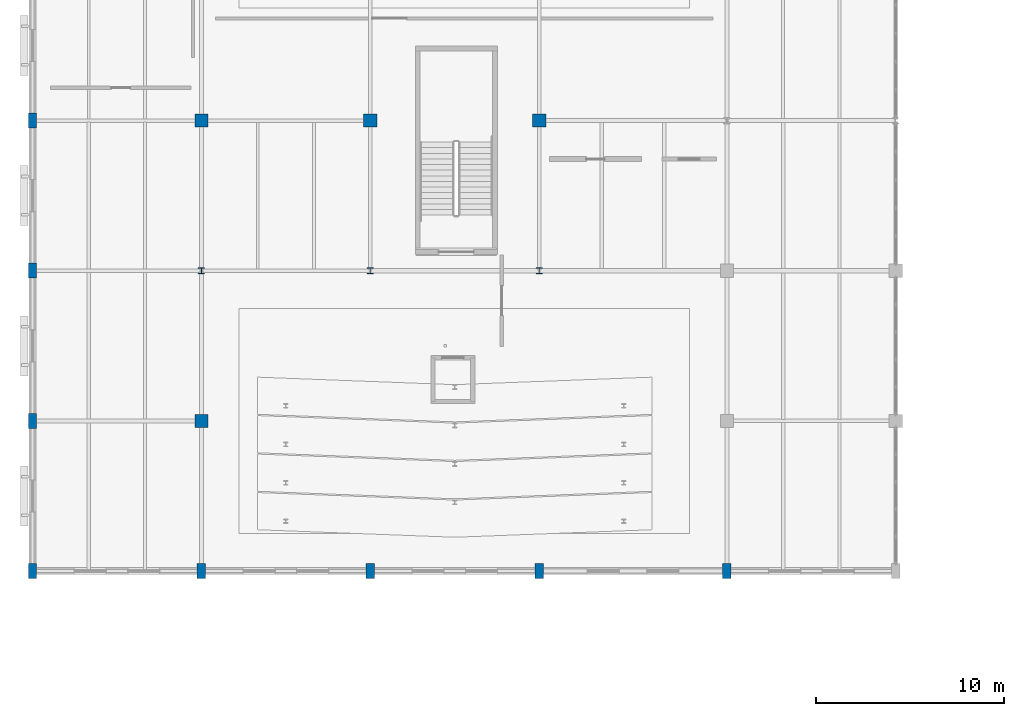
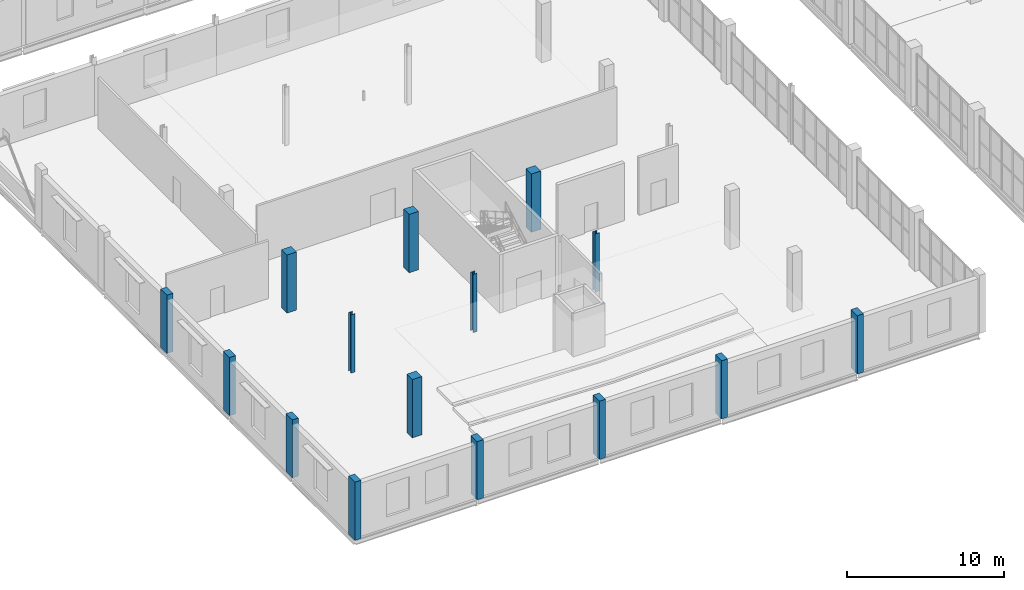
# One storey, part 1 of 93: 15 columns.
"""IFC4 building model written with IfcOpenShell, lengths in metres."""

from ifc_helpers import new_model, si_unit, direction, frame, origin, origin_2d, place, context, subcontext, project, spatial, rectangle, i_section, extrude, material, material_profile, profile_set, type_object, element, save


model = new_model("IFC4")

# Units and contexts
model_context = context("Model", 3, precision=1e-05, world=origin(), true_north=direction((0.0, 1.0)))
body_context = subcontext(model_context, "Body", "Model", "MODEL_VIEW")
ifc_project = project(units=[si_unit("LENGTHUNIT", "METRE"), si_unit("AREAUNIT", "SQUARE_METRE"), si_unit("VOLUMEUNIT", "CUBIC_METRE"), si_unit("PLANEANGLEUNIT", "RADIAN"), si_unit("MASSUNIT", "GRAM", prefix="KILO")], contexts=[model_context])

# Site, building, storey
site_placement = place(None, origin())
site = spatial("IfcSite", under=ifc_project, at=site_placement, CompositionType="ELEMENT")
building_placement = place(site_placement, origin())
building = spatial("IfcBuilding", under=site, at=building_placement, Name="Marnock Terrace Opera House", CompositionType="ELEMENT")
storey_placement = place(building_placement, frame((0.0, 0.0, 5.39990234375)))
storey = spatial("IfcBuildingStorey", under=building, at=storey_placement, Name="L01", CompositionType="ELEMENT", Elevation=5.39990234375)

# Columns
ifc_material_1 = material(Name="Concrete N40 (f'c = 40 MPa)", Category="concrete")
ifc_material_profile_1 = material_profile(ifc_material_1, rectangle(XDim=0.449951171875, YDim=0.800048828125, at=origin_2d()))
ifc_profile_set_1 = profile_set([ifc_material_profile_1], Name="Concrete N40 (f'c = 40 MPa)")
column_type_1 = type_object("IfcColumnType", Name="COL-PIL-800", PredefinedType="PILASTER", material=ifc_profile_set_1)
for number, where, z_axis, x_axis, name in (
    (1, (0.0, 8.0, 0.0), (0.0, 0.0, 1.0), (1.0, 0.0, 0.0), "L01 column at (0.0, 8.0)"),
    (2, (0.0, 16.0, 0.0), (0.0, 0.0, 1.0), (1.0, 0.0, 0.0), "L01 column at (0.0, 16.0)"),
    (3, (0.0, 24.0, 0.0), (0.0, 0.0, 1.0), (1.0, 0.0, 0.0), "L01 column at (0.0, 24.0)"),
    (4, (0.0, 32.0, 0.0), (0.0, 0.0, 1.0), (1.0, 0.0, 0.0), "L01 column at (0.0, 32.0)"),
    (5, (9.0, 8.0, 0.0), (0.0, 0.0, 1.0), (1.0, 0.0, 0.0), "L01 column at (9.0, 8.0)"),
    (6, (18.0, 8.0, 0.0), (0.0, 0.0, 1.0), (1.0, 0.0, 0.0), "L01 column at (18.0, 8.0)"),
    (7, (27.0, 8.0, 0.0), (0.0, 0.0, 1.0), (1.0, 0.0, 0.0), "L01 column at (27.0, 8.0)"),
    (8, (37.0, 8.0, 0.0), (0.0, 0.0, 1.0), (1.0, 0.0, 0.0), "L01 column at (37.0, 8.0)"),
):
    element("IfcColumn", number, at=place(storey_placement, frame(where, z_axis=z_axis, x_axis=x_axis)), inside=storey, type_object=column_type_1, Name=name, PredefinedType="PILASTER", context=body_context, shape_type="SweptSolid", body=[
        extrude(rectangle(XDim=0.449951171875, YDim=0.800048828125, at=origin_2d()), origin(), (0.0, 0.0, 1.0), 4.5400390625),
    ])
ifc_material_profile_2 = material_profile(ifc_material_1, rectangle(XDim=0.699951171875, YDim=0.699951171875, at=origin_2d()))
ifc_profile_set_2 = profile_set([ifc_material_profile_2], Name="Concrete N40 (f'c = 40 MPa)")
column_type_2 = type_object("IfcColumnType", Name="COL-RC700", PredefinedType="COLUMN", material=ifc_profile_set_2)
for number, where, z_axis, x_axis, name in (
    (9, (9.0, 16.0, 0.0), (0.0, 0.0, 1.0), (1.0, 0.0, 0.0), "L01 column at (9.0, 16.0)"),
    (10, (9.0, 32.0, 0.0), (0.0, 0.0, 1.0), (1.0, 0.0, 0.0), "L01 column at (9.0, 32.0)"),
    (11, (18.0, 32.0, 0.0), (0.0, 0.0, 1.0), (1.0, 0.0, 0.0), "L01 column at (18.0, 32.0)"),
    (12, (27.0, 32.0, 0.0), (0.0, 0.0, 1.0), (1.0, 0.0, 0.0), "L01 column at (27.0, 32.0)"),
):
    element("IfcColumn", number, at=place(storey_placement, frame(where, z_axis=z_axis, x_axis=x_axis)), inside=storey, type_object=column_type_2, Name=name, PredefinedType="COLUMN", context=body_context, shape_type="SweptSolid", body=[
        extrude(rectangle(XDim=0.699951171875, YDim=0.699951171875, at=origin_2d()), origin(), (0.0, 0.0, 1.0), 4.5400390625),
    ])
ifc_material_2 = material(Name="Steel Grade 350 (AS/NZS 3679.1)", Category="steel")
ifc_material_profile_3 = material_profile(ifc_material_2, i_section(OverallWidth=0.30908203125, OverallDepth=0.320556640625, WebThickness=0.013916015625, FlangeThickness=0.021728515625, FilletRadius=0.0166015625, at=origin_2d()))
ifc_profile_set_3 = profile_set([ifc_material_profile_3], Name="Steel Grade 350 (AS/NZS 3679.1)")
column_type_3 = type_object("IfcColumnType", Name="COL-UC310B", PredefinedType="COLUMN", material=ifc_profile_set_3)
for number, where, z_axis, x_axis, name in (
    (13, (9.0, 24.0, 0.0), (0.0, 0.0, 1.0), (1.0, 0.0, 0.0), "L01 column at (9.0, 24.0)"),
    (14, (18.0, 24.0, 0.0), (0.0, 0.0, 1.0), (1.0, 0.0, 0.0), "L01 column at (18.0, 24.0)"),
    (15, (27.0, 24.0, 0.0), (0.0, 0.0, 1.0), (1.0, 0.0, 0.0), "L01 column at (27.0, 24.0)"),
):
    element("IfcColumn", number, at=place(storey_placement, frame(where, z_axis=z_axis, x_axis=x_axis)), inside=storey, type_object=column_type_3, Name=name, PredefinedType="COLUMN", context=body_context, shape_type="SweptSolid", body=[
        extrude(i_section(OverallWidth=0.30908203125, OverallDepth=0.320556640625, WebThickness=0.013916015625, FlangeThickness=0.021728515625, FilletRadius=0.0166015625, at=origin_2d()), origin(), (0.0, 0.0, 1.0), 4.5400390625),
    ])

save(model, "model.ifc")
